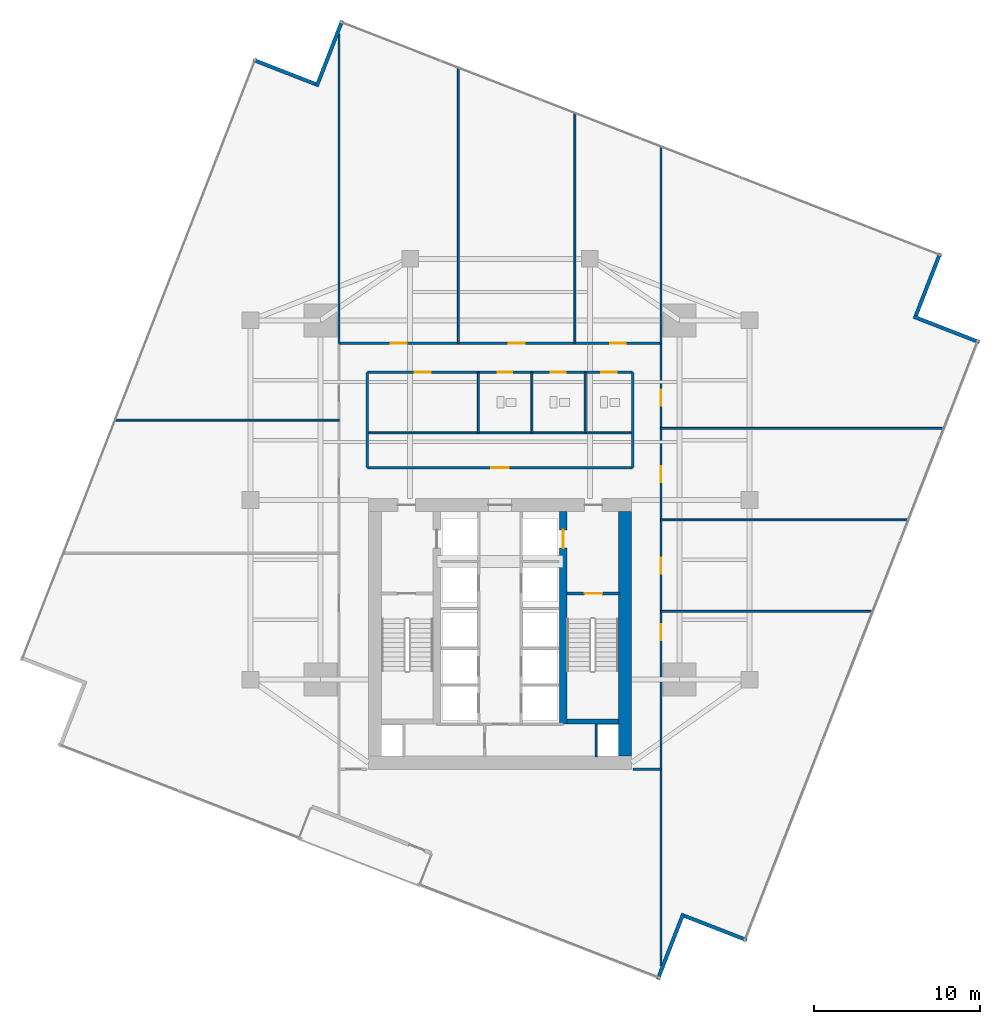
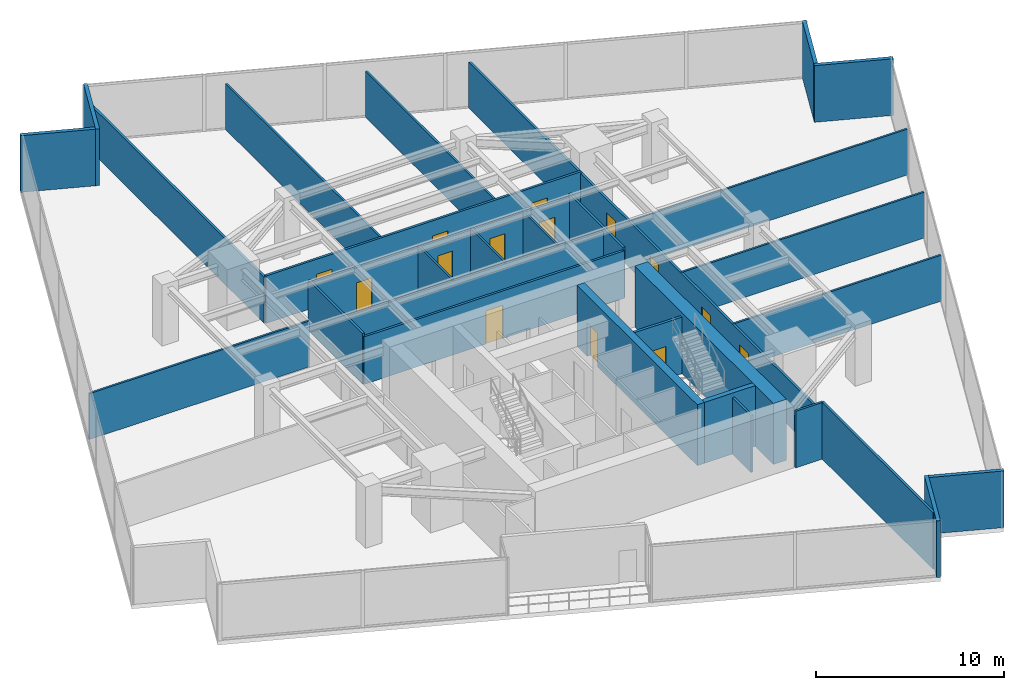
# One storey, part 23 of 26: 31 walls, 14 doors, 14 openings.
"""IFC4 building model written with IfcOpenShell, lengths in metres."""

from ifc_helpers import new_model, si_unit, direction, frame, frame_2d, origin, place, context, subcontext, project, spatial, rectangle, extrude, material, layer, layer_set, type_object, element, fill, save


model = new_model("IFC4")

# Units and contexts
model_context = context("Model", 3, precision=1e-05, world=origin(), true_north=direction((0.0, 1.0)))
body_context = subcontext(model_context, "Body", "Model", "MODEL_VIEW")
ifc_project = project(units=[si_unit("LENGTHUNIT", "METRE"), si_unit("AREAUNIT", "SQUARE_METRE"), si_unit("VOLUMEUNIT", "CUBIC_METRE"), si_unit("PLANEANGLEUNIT", "RADIAN"), si_unit("MASSUNIT", "GRAM", prefix="KILO")], contexts=[model_context])

# Site, building, storey
site_placement = place(None, origin())
site = spatial("IfcSite", under=ifc_project, at=site_placement, CompositionType="ELEMENT")
building_placement = place(site_placement, origin())
building = spatial("IfcBuilding", under=site, at=building_placement, Name="Krantzveldt Concourse Tower", CompositionType="ELEMENT")
storey_placement = place(building_placement, frame((0.0, 0.0, 133.5)))
storey = spatial("IfcBuildingStorey", under=building, at=storey_placement, Name="L32", CompositionType="ELEMENT", Elevation=133.5)

# Walls
ifc_material_1 = material(Name="Anodised aluminium 6063-T6", Category="aluminium")
ifc_layer_1 = layer(ifc_material_1, 0.219970703125, Name="Anodised aluminium 6063-T6", Category="aluminium")
ifc_layer_set_1 = layer_set([ifc_layer_1], Name="Anodised aluminium 6063-T6 (WL-EXT-NOTCH220)")
wall_type_1 = type_object("IfcWallType", Name="WL-EXT-NOTCH220", PredefinedType="ELEMENTEDWALL", material=ifc_layer_set_1)
wall_1_placement = place(storey_placement, frame((24.910400390625, 51.709716796875, 0.0), z_axis=(0.0, 0.0, 1.0), x_axis=(-0.932010363197, 0.362431625129, 0.0)))
element("IfcWall", 1, at=wall_1_placement, inside=storey, type_object=wall_type_1, Name="EW-L32-NCH00", PredefinedType="ELEMENTEDWALL", context=body_context, shape_type="SweptSolid", body=[
    extrude(rectangle(XDim=4.02490234375, YDim=0.219970703125, at=frame_2d((2.012451171875, 0.0))), origin(), (0.0, 0.0, 1.0), 3.669921875),
])
wall_2_placement = place(storey_placement, frame((45.48828125, -2.123779296875, 0.0), z_axis=(0.0, 0.0, 1.0), x_axis=(0.362429609335, 0.932011147078, 0.0)))
element("IfcWall", 2, at=wall_2_placement, inside=storey, type_object=wall_type_1, Name="EW-L32-NCH09", PredefinedType="ELEMENTEDWALL", context=body_context, shape_type="SweptSolid", body=[
    extrude(rectangle(XDim=4.2451171875, YDim=0.219970703125, at=frame_2d((2.12255859375, 0.0))), origin(), (0.0, 0.0, 1.0), 3.669921875),
])
wall_3_placement = place(storey_placement, frame((47.089599609375, 1.690185546875, 0.0), z_axis=(0.0, 0.0, 1.0), x_axis=(0.932010363197, -0.362431625129, 0.0)))
element("IfcWall", 3, at=wall_3_placement, inside=storey, type_object=wall_type_1, Name="EW-L32-NCH10", PredefinedType="ELEMENTEDWALL", context=body_context, shape_type="SweptSolid", body=[
    extrude(rectangle(XDim=4.02490234375, YDim=0.219970703125, at=frame_2d((2.012451171875, 0.0))), origin(), (0.0, 0.0, 1.0), 3.669921875),
])
wall_4_placement = place(storey_placement, frame((64.82373046875, 36.188232421875, 0.0), z_axis=(0.0, 0.0, 1.0), x_axis=(-0.932003592198, 0.362449036596, 0.0)))
element("IfcWall", 4, at=wall_4_placement, inside=storey, type_object=wall_type_1, Name="EW-L32-NCH12", PredefinedType="ELEMENTEDWALL", context=body_context, shape_type="SweptSolid", body=[
    extrude(rectangle(XDim=4.244873046875, YDim=0.219970703125, at=frame_2d((2.12255859375, 0.0))), origin(), (0.0, 0.0, 1.0), 3.669921875),
])
wall_5_placement = place(storey_placement, frame((61.009765625, 37.78955078125, 0.0), z_axis=(0.0, 0.0, 1.0), x_axis=(0.362431625129, 0.932010363197, 0.0)))
element("IfcWall", 5, at=wall_5_placement, inside=storey, type_object=wall_type_1, Name="EW-L32-NCH13", PredefinedType="ELEMENTEDWALL", context=body_context, shape_type="SweptSolid", body=[
    extrude(rectangle(XDim=4.02490234375, YDim=0.219970703125, at=frame_2d((2.012451171875, 0.0))), origin(), (0.0, 0.0, 1.0), 3.669921875),
])
wall_6_placement = place(storey_placement, frame((26.51171875, 55.523681640625, 0.0), z_axis=(0.0, 0.0, 1.0), x_axis=(-0.362449036596, -0.932003592198, 0.0)))
element("IfcWall", 6, at=wall_6_placement, inside=storey, type_object=wall_type_1, Name="EW-L32-NCH15", PredefinedType="ELEMENTEDWALL", context=body_context, shape_type="SweptSolid", body=[
    extrude(rectangle(XDim=4.244873046875, YDim=0.219970703125, at=frame_2d((2.12255859375, 0.0))), origin(), (0.0, 0.0, 1.0), 3.669921875),
])
ifc_material_2 = material(Name="Fire-rated gypsum plasterboard on steel stud", Category="steel")
ifc_layer_2 = layer(ifc_material_2, 0.1201171875, Name="Fire-rated gypsum plasterboard on steel stud", Category="steel")
ifc_layer_set_2 = layer_set([ifc_layer_2], Name="Fire-rated gypsum plasterboard on steel stud (WL-PART-120)")
wall_type_2 = type_object("IfcWallType", Name="WL-PART-120", PredefinedType="PARTITIONING", material=ifc_layer_set_2)
wall_7_placement = place(storey_placement, frame((28.02001953125, 30.739990234375, 0.0), z_axis=(0.0, 0.0, 1.0), x_axis=(1.0, 0.0, 0.0)))
element("IfcWall", 7, at=wall_7_placement, inside=storey, type_object=wall_type_2, Name="WP-L32-ISLM", PredefinedType="PARTITIONING", context=body_context, shape_type="SweptSolid", body=[
    extrude(rectangle(XDim=15.9599609375, YDim=0.1201171875, at=frame_2d((7.97998046875, 0.0))), origin(), (0.0, 0.0, 1.0), 3.080078125),
])
for number, where, z_axis, x_axis, name in (
    (8, (37.919921875, 30.739990234375, 0.0), (0.0, 0.0, 1.0), (0.0, 1.0, 0.0), "WP-L32-WCD1"),
    (9, (41.1201171875, 30.739990234375, 0.0), (0.0, 0.0, 1.0), (0.0, 1.0, 0.0), "WP-L32-WCD2"),
    (10, (34.699951171875, 30.739990234375, 0.0), (0.0, 0.0, 1.0), (0.0, 1.0, 0.0), "WP-L32-WCD3"),
):
    element("IfcWall", number, at=place(storey_placement, frame(where, z_axis=z_axis, x_axis=x_axis)), inside=storey, type_object=wall_type_2, Name=name, PredefinedType="PARTITIONING", context=body_context, shape_type="SweptSolid", body=[
        extrude(rectangle(XDim=3.639892578125, YDim=0.1201171875, at=frame_2d((1.81982421875, 0.0))), origin(), (0.0, 0.0, 1.0), 3.169921875),
    ])
wall_8_placement = place(storey_placement, frame((33.5, 36.1201171875, 0.0), z_axis=(0.0, 0.0, 1.0), x_axis=(0.0, 1.0, 0.0)))
element("IfcWall", 11, at=wall_8_placement, inside=storey, type_object=wall_type_2, Name="WP-L32-ND1", PredefinedType="PARTITIONING", context=body_context, shape_type="SweptSolid", body=[
    extrude(rectangle(XDim=16.5625, YDim=0.1201171875, at=frame_2d((8.28125, 0.0))), origin(), (0.0, 0.0, 1.0), 2.969970703125),
])
wall_9_placement = place(storey_placement, frame((40.5, 36.1201171875, 0.0), z_axis=(0.0, 0.0, 1.0), x_axis=(0.0, 1.0, 0.0)))
element("IfcWall", 12, at=wall_9_placement, inside=storey, type_object=wall_type_2, Name="WP-L32-ND2", PredefinedType="PARTITIONING", context=body_context, shape_type="SweptSolid", body=[
    extrude(rectangle(XDim=13.840576171875, YDim=0.1201171875, at=frame_2d((6.92041015625, 0.0))), origin(), (0.0, 0.0, 1.0), 2.969970703125),
])
wall_10_placement = place(storey_placement, frame((12.856201171875, 31.5, 0.0), z_axis=(0.0, 0.0, 1.0), x_axis=(1.0, 0.0, 0.0)))
element("IfcWall", 13, at=wall_10_placement, inside=storey, type_object=wall_type_2, Name="WP-L32-WD2", PredefinedType="PARTITIONING", context=body_context, shape_type="SweptSolid", body=[
    extrude(rectangle(XDim=13.4638671875, YDim=0.1201171875, at=frame_2d((6.73193359375, 0.0))), origin(), (0.0, 0.0, 1.0), 2.969970703125),
])
wall_11_placement = place(storey_placement, frame((45.679931640625, 20.0, 0.0), z_axis=(0.0, 0.0, 1.0), x_axis=(1.0, 0.0, 0.0)))
element("IfcWall", 14, at=wall_11_placement, inside=storey, type_object=wall_type_2, Name="WP-L32-ED1", PredefinedType="PARTITIONING", context=body_context, shape_type="SweptSolid", body=[
    extrude(rectangle(XDim=12.72509765625, YDim=0.1201171875, at=frame_2d((6.362548828125, 0.0))), origin(), (0.0, 0.0, 1.0), 2.969970703125),
])
wall_12_placement = place(storey_placement, frame((45.679931640625, 25.5, 0.0), z_axis=(0.0, 0.0, 1.0), x_axis=(1.0, 0.0, 0.0)))
element("IfcWall", 15, at=wall_12_placement, inside=storey, type_object=wall_type_2, Name="WP-L32-ED2", PredefinedType="PARTITIONING", context=body_context, shape_type="SweptSolid", body=[
    extrude(rectangle(XDim=14.864013671875, YDim=0.1201171875, at=frame_2d((7.43212890625, 0.0))), origin(), (0.0, 0.0, 1.0), 2.969970703125),
])
wall_13_placement = place(storey_placement, frame((45.679931640625, 31.0, 0.0), z_axis=(0.0, 0.0, 1.0), x_axis=(1.0, 0.0, 0.0)))
element("IfcWall", 16, at=wall_13_placement, inside=storey, type_object=wall_type_2, Name="WP-L32-ED3", PredefinedType="PARTITIONING", context=body_context, shape_type="SweptSolid", body=[
    extrude(rectangle(XDim=17.002685546875, YDim=0.1201171875, at=frame_2d((8.50146484375, 0.0))), origin(), (0.0, 0.0, 1.0), 2.969970703125),
])

# Wall, opening, door
ifc_layer_3 = layer(ifc_material_2, 0.139892578125, Name="Fire-rated gypsum plasterboard on steel stud", Category="steel")
ifc_layer_set_3 = layer_set([ifc_layer_3], Name="Fire-rated gypsum plasterboard on steel stud (WL-PART-140)")
wall_type_3 = type_object("IfcWallType", Name="WL-PART-140", PredefinedType="PARTITIONING", material=ifc_layer_set_3)
wall_14_placement = place(storey_placement, frame((28.02001953125, 28.639892578125, 0.0), z_axis=(0.0, 0.0, 1.0), x_axis=(1.0, 0.0, 0.0)))
wall_14 = element("IfcWall", 17, at=wall_14_placement, inside=storey, type_object=wall_type_3, Name="WP-L32-ISLS", PredefinedType="PARTITIONING", context=body_context, shape_type="SweptSolid", body=[
    extrude(rectangle(XDim=15.9599609375, YDim=0.139892578125, at=frame_2d((7.97998046875, 0.0))), origin(), (0.0, 0.0, 1.0), 3.080078125),
])
opening_1_placement = place(wall_14_placement, frame((7.455078125, 0.0, 0.0)))
opening_1 = element("IfcOpeningElement", 18, at=opening_1_placement, cuts=wall_14, Name="Opening D-IN105", PredefinedType="OPENING", context=body_context, shape_type="SweptSolid", body=[
    extrude(rectangle(XDim=1.050048828125, YDim=2.14990234375, at=frame_2d((0.52490234375, 1.074951171875))), frame((0.0, 0.080078125, 0.0), z_axis=(0.0, -1.0, 0.0), x_axis=(1.0, 0.0, 0.0)), (0.0, 0.0, 1.0), 0.159912109375),
])
ifc_material_3 = material(Name="Hardwood timber", Category="wood")
door_type_1 = type_object("IfcDoorType", Name="DR-INT-1050", OperationType="SINGLE_SWING_LEFT", PredefinedType="DOOR", material=ifc_material_3)
door_1_placement = place(opening_1_placement, origin())
door_1 = element("IfcDoor", 19, at=door_1_placement, inside=storey, type_object=door_type_1, Name="DR-L32-MIDB", OperationType="SINGLE_SWING_LEFT", OverallHeight=2.14990234375, OverallWidth=1.050048828125, PredefinedType="DOOR", context=body_context, shape_type="SweptSolid", body=[
    extrude(rectangle(XDim=1.050048828125, YDim=2.14990234375, at=frame_2d((0.52490234375, 1.074951171875))), frame((0.0, 0.02490234375, 0.0), z_axis=(0.0, -1.0, 0.0), x_axis=(1.0, 0.0, 0.0)), (0.0, 0.0, 1.0), 0.050048828125),
])
fill(opening_1, door_1)

# Wall, openings, doors
wall_15_placement = place(storey_placement, frame((28.02001953125, 34.3798828125, 0.0), z_axis=(0.0, 0.0, 1.0), x_axis=(1.0, 0.0, 0.0)))
wall_15 = element("IfcWall", 20, at=wall_15_placement, inside=storey, type_object=wall_type_3, Name="WP-L32-ISLN", PredefinedType="PARTITIONING", context=body_context, shape_type="SweptSolid", body=[
    extrude(rectangle(XDim=15.9599609375, YDim=0.139892578125, at=frame_2d((7.97998046875, 0.0))), origin(), (0.0, 0.0, 1.0), 3.080078125),
])
opening_2_placement = place(wall_15_placement, frame((7.830078125, 0.0, 0.0)))
opening_2 = element("IfcOpeningElement", 21, at=opening_2_placement, cuts=wall_15, Name="Opening D-IN090", PredefinedType="OPENING", context=body_context, shape_type="SweptSolid", body=[
    extrude(rectangle(XDim=0.89990234375, YDim=2.10009765625, at=frame_2d((0.449951171875, 1.050048828125))), frame((0.0, 0.080078125, 0.0), z_axis=(0.0, -1.0, 0.0), x_axis=(1.0, 0.0, 0.0)), (0.0, 0.0, 1.0), 0.159912109375),
])
opening_3_placement = place(wall_15_placement, frame((11.030029296875, 0.0, 0.0)))
opening_3 = element("IfcOpeningElement", 22, at=opening_3_placement, cuts=wall_15, Name="Opening D-IN090", PredefinedType="OPENING", context=body_context, shape_type="SweptSolid", body=[
    extrude(rectangle(XDim=0.89990234375, YDim=2.10009765625, at=frame_2d((0.449951171875, 1.050048828125))), frame((0.0, 0.080078125, 0.0), z_axis=(0.0, -1.0, 0.0), x_axis=(1.0, 0.0, 0.0)), (0.0, 0.0, 1.0), 0.159912109375),
])
opening_4_placement = place(wall_15_placement, frame((14.054931640625, 0.0, 0.0)))
opening_4 = element("IfcOpeningElement", 23, at=opening_4_placement, cuts=wall_15, Name="Opening D-IN095", PredefinedType="OPENING", context=body_context, shape_type="SweptSolid", body=[
    extrude(rectangle(XDim=0.949951171875, YDim=2.10009765625, at=frame_2d((0.47509765625, 1.050048828125))), frame((0.0, 0.080078125, 0.0), z_axis=(0.0, -1.0, 0.0), x_axis=(1.0, 0.0, 0.0)), (0.0, 0.0, 1.0), 0.159912109375),
])
opening_5_placement = place(wall_15_placement, frame((2.85498046875, 0.0, 0.0)))
opening_5 = element("IfcOpeningElement", 24, at=opening_5_placement, cuts=wall_15, Name="Opening D-IN095", PredefinedType="OPENING", context=body_context, shape_type="SweptSolid", body=[
    extrude(rectangle(XDim=0.949951171875, YDim=2.10009765625, at=frame_2d((0.47509765625, 1.050048828125))), frame((0.0, 0.080078125, 0.0), z_axis=(0.0, -1.0, 0.0), x_axis=(1.0, 0.0, 0.0)), (0.0, 0.0, 1.0), 0.159912109375),
])
door_type_2 = type_object("IfcDoorType", Name="DR-INT-900", OperationType="SINGLE_SWING_LEFT", PredefinedType="DOOR", material=ifc_material_3)
door_2_placement = place(opening_2_placement, origin())
door_2 = element("IfcDoor", 25, at=door_2_placement, inside=storey, type_object=door_type_2, Name="DR-L32-WCM", OperationType="SINGLE_SWING_LEFT", OverallHeight=2.10009765625, OverallWidth=0.89990234375, PredefinedType="DOOR", context=body_context, shape_type="SweptSolid", body=[
    extrude(rectangle(XDim=0.89990234375, YDim=2.10009765625, at=frame_2d((0.449951171875, 1.050048828125))), frame((0.0, 0.02490234375, 0.0), z_axis=(0.0, -1.0, 0.0), x_axis=(1.0, 0.0, 0.0)), (0.0, 0.0, 1.0), 0.050048828125),
])
fill(opening_2, door_2)
door_3_placement = place(opening_3_placement, origin())
door_3 = element("IfcDoor", 26, at=door_3_placement, inside=storey, type_object=door_type_2, Name="DR-L32-WCF", OperationType="SINGLE_SWING_RIGHT", OverallHeight=2.10009765625, OverallWidth=0.89990234375, PredefinedType="DOOR", context=body_context, shape_type="SweptSolid", body=[
    extrude(rectangle(XDim=0.89990234375, YDim=2.10009765625, at=frame_2d((0.449951171875, 1.050048828125))), frame((0.0, 0.02490234375, 0.0), z_axis=(0.0, -1.0, 0.0), x_axis=(1.0, 0.0, 0.0)), (0.0, 0.0, 1.0), 0.050048828125),
])
fill(opening_3, door_3)
door_type_3 = type_object("IfcDoorType", Name="DR-INT-950", OperationType="SINGLE_SWING_LEFT", PredefinedType="DOOR", material=ifc_material_3)
door_4_placement = place(opening_4_placement, origin())
door_4 = element("IfcDoor", 27, at=door_4_placement, inside=storey, type_object=door_type_3, Name="DR-L32-WCA", OperationType="SINGLE_SWING_LEFT", OverallHeight=2.10009765625, OverallWidth=0.949951171875, PredefinedType="DOOR", context=body_context, shape_type="SweptSolid", body=[
    extrude(rectangle(XDim=0.949951171875, YDim=2.10009765625, at=frame_2d((0.47509765625, 1.050048828125))), frame((0.0, 0.02490234375, 0.0), z_axis=(0.0, -1.0, 0.0), x_axis=(1.0, 0.0, 0.0)), (0.0, 0.0, 1.0), 0.050048828125),
])
fill(opening_4, door_4)
door_5_placement = place(opening_5_placement, origin())
door_5 = element("IfcDoor", 28, at=door_5_placement, inside=storey, type_object=door_type_3, Name="DR-L32-PNT", OperationType="SINGLE_SWING_RIGHT", OverallHeight=2.10009765625, OverallWidth=0.949951171875, PredefinedType="DOOR", context=body_context, shape_type="SweptSolid", body=[
    extrude(rectangle(XDim=0.949951171875, YDim=2.10009765625, at=frame_2d((0.47509765625, 1.050048828125))), frame((0.0, 0.02490234375, 0.0), z_axis=(0.0, -1.0, 0.0), x_axis=(1.0, 0.0, 0.0)), (0.0, 0.0, 1.0), 0.050048828125),
])
fill(opening_5, door_5)

# Walls
for number, where, z_axis, x_axis, name in (
    (29, (28.02001953125, 28.639892578125, 0.0), (0.0, 0.0, 1.0), (0.0, 1.0, 0.0), "WP-L32-ISLW"),
    (30, (43.97998046875, 28.639892578125, 0.0), (0.0, 0.0, 1.0), (0.0, 1.0, 0.0), "WP-L32-ISLE"),
):
    element("IfcWall", number, at=place(storey_placement, frame(where, z_axis=z_axis, x_axis=x_axis)), inside=storey, type_object=wall_type_3, Name=name, PredefinedType="PARTITIONING", context=body_context, shape_type="SweptSolid", body=[
        extrude(rectangle(XDim=5.739990234375, YDim=0.139892578125, at=frame_2d((2.8701171875, 0.0))), origin(), (0.0, 0.0, 1.0), 3.27001953125),
    ])

# Wall, openings, doors
wall_16_placement = place(storey_placement, frame((26.320068359375, 36.1201171875, 0.0), z_axis=(0.0, 0.0, 1.0), x_axis=(1.0, 0.0, 0.0)))
wall_16 = element("IfcWall", 31, at=wall_16_placement, inside=storey, type_object=wall_type_3, Name="WP-L32-CTOP", PredefinedType="PARTITIONING", context=body_context, shape_type="SweptSolid", body=[
    extrude(rectangle(XDim=19.35986328125, YDim=0.139892578125, at=frame_2d((9.679931640625, 0.0))), origin(), (0.0, 0.0, 1.0), 3.080078125),
])
opening_6_placement = place(wall_16_placement, frame((3.114990234375, 0.0, 0.0)))
opening_6 = element("IfcOpeningElement", 32, at=opening_6_placement, cuts=wall_16, Name="Opening D-IN095", PredefinedType="OPENING", context=body_context, shape_type="SweptSolid", body=[
    extrude(rectangle(XDim=0.949951171875, YDim=2.10009765625, at=frame_2d((0.47509765625, 1.050048828125))), frame((0.0, 0.080078125, 0.0), z_axis=(0.0, -1.0, 0.0), x_axis=(1.0, 0.0, 0.0)), (0.0, 0.0, 1.0), 0.159912109375),
])
opening_7_placement = place(wall_16_placement, frame((10.205078125, 0.0, 0.0)))
opening_7 = element("IfcOpeningElement", 33, at=opening_7_placement, cuts=wall_16, Name="Opening D-IN095", PredefinedType="OPENING", context=body_context, shape_type="SweptSolid", body=[
    extrude(rectangle(XDim=0.949951171875, YDim=2.10009765625, at=frame_2d((0.47509765625, 1.050048828125))), frame((0.0, 0.080078125, 0.0), z_axis=(0.0, -1.0, 0.0), x_axis=(1.0, 0.0, 0.0)), (0.0, 0.0, 1.0), 0.159912109375),
])
opening_8_placement = place(wall_16_placement, frame((16.294921875, 0.0, 0.0)))
opening_8 = element("IfcOpeningElement", 34, at=opening_8_placement, cuts=wall_16, Name="Opening D-IN095", PredefinedType="OPENING", context=body_context, shape_type="SweptSolid", body=[
    extrude(rectangle(XDim=0.949951171875, YDim=2.10009765625, at=frame_2d((0.47509765625, 1.050048828125))), frame((0.0, 0.080078125, 0.0), z_axis=(0.0, -1.0, 0.0), x_axis=(1.0, 0.0, 0.0)), (0.0, 0.0, 1.0), 0.159912109375),
])
door_6_placement = place(opening_6_placement, origin())
door_6 = element("IfcDoor", 35, at=door_6_placement, inside=storey, type_object=door_type_3, Name="DR-L32-NR1", OperationType="SINGLE_SWING_LEFT", OverallHeight=2.10009765625, OverallWidth=0.949951171875, PredefinedType="DOOR", context=body_context, shape_type="SweptSolid", body=[
    extrude(rectangle(XDim=0.949951171875, YDim=2.10009765625, at=frame_2d((0.47509765625, 1.050048828125))), frame((0.0, 0.02490234375, 0.0), z_axis=(0.0, -1.0, 0.0), x_axis=(1.0, 0.0, 0.0)), (0.0, 0.0, 1.0), 0.050048828125),
])
fill(opening_6, door_6)
door_7_placement = place(opening_7_placement, origin())
door_7 = element("IfcDoor", 36, at=door_7_placement, inside=storey, type_object=door_type_3, Name="DR-L32-NR2", OperationType="SINGLE_SWING_LEFT", OverallHeight=2.10009765625, OverallWidth=0.949951171875, PredefinedType="DOOR", context=body_context, shape_type="SweptSolid", body=[
    extrude(rectangle(XDim=0.949951171875, YDim=2.10009765625, at=frame_2d((0.47509765625, 1.050048828125))), frame((0.0, 0.02490234375, 0.0), z_axis=(0.0, -1.0, 0.0), x_axis=(1.0, 0.0, 0.0)), (0.0, 0.0, 1.0), 0.050048828125),
])
fill(opening_7, door_7)
door_8_placement = place(opening_8_placement, origin())
door_8 = element("IfcDoor", 37, at=door_8_placement, inside=storey, type_object=door_type_3, Name="DR-L32-NR3", OperationType="SINGLE_SWING_LEFT", OverallHeight=2.10009765625, OverallWidth=0.949951171875, PredefinedType="DOOR", context=body_context, shape_type="SweptSolid", body=[
    extrude(rectangle(XDim=0.949951171875, YDim=2.10009765625, at=frame_2d((0.47509765625, 1.050048828125))), frame((0.0, 0.02490234375, 0.0), z_axis=(0.0, -1.0, 0.0), x_axis=(1.0, 0.0, 0.0)), (0.0, 0.0, 1.0), 0.050048828125),
])
fill(opening_8, door_8)

wall_17_placement = place(storey_placement, frame((45.679931640625, 10.5, 0.0), z_axis=(0.0, 0.0, 1.0), x_axis=(0.0, 1.0, 0.0)))
wall_17 = element("IfcWall", 38, at=wall_17_placement, inside=storey, type_object=wall_type_3, Name="WP-L32-CEAST", PredefinedType="PARTITIONING", context=body_context, shape_type="SweptSolid", body=[
    extrude(rectangle(XDim=25.6201171875, YDim=0.139892578125, at=frame_2d((12.81005859375, 0.0))), origin(), (0.0, 0.0, 1.0), 2.969970703125),
])
opening_9_placement = place(wall_17_placement, frame((7.77490234375, 0.0, 0.0)))
opening_9 = element("IfcOpeningElement", 39, at=opening_9_placement, cuts=wall_17, Name="Opening D-IN095", PredefinedType="OPENING", context=body_context, shape_type="SweptSolid", body=[
    extrude(rectangle(XDim=0.949951171875, YDim=2.10009765625, at=frame_2d((0.47509765625, 1.050048828125))), frame((0.0, 0.080078125, 0.0), z_axis=(0.0, -1.0, 0.0), x_axis=(1.0, 0.0, 0.0)), (0.0, 0.0, 1.0), 0.159912109375),
])
opening_10_placement = place(wall_17_placement, frame((11.77490234375, 0.0, 0.0)))
opening_10 = element("IfcOpeningElement", 40, at=opening_10_placement, cuts=wall_17, Name="Opening D-IN095", PredefinedType="OPENING", context=body_context, shape_type="SweptSolid", body=[
    extrude(rectangle(XDim=0.949951171875, YDim=2.10009765625, at=frame_2d((0.47509765625, 1.050048828125))), frame((0.0, 0.080078125, 0.0), z_axis=(0.0, -1.0, 0.0), x_axis=(1.0, 0.0, 0.0)), (0.0, 0.0, 1.0), 0.159912109375),
])
opening_11_placement = place(wall_17_placement, frame((17.27490234375, 0.0, 0.0)))
opening_11 = element("IfcOpeningElement", 41, at=opening_11_placement, cuts=wall_17, Name="Opening D-IN095", PredefinedType="OPENING", context=body_context, shape_type="SweptSolid", body=[
    extrude(rectangle(XDim=0.949951171875, YDim=2.10009765625, at=frame_2d((0.47509765625, 1.050048828125))), frame((0.0, 0.080078125, 0.0), z_axis=(0.0, -1.0, 0.0), x_axis=(1.0, 0.0, 0.0)), (0.0, 0.0, 1.0), 0.159912109375),
])
opening_12_placement = place(wall_17_placement, frame((21.875, 0.0, 0.0)))
opening_12 = element("IfcOpeningElement", 42, at=opening_12_placement, cuts=wall_17, Name="Opening D-IN095", PredefinedType="OPENING", context=body_context, shape_type="SweptSolid", body=[
    extrude(rectangle(XDim=0.949951171875, YDim=2.10009765625, at=frame_2d((0.47509765625, 1.050048828125))), frame((0.0, 0.080078125, 0.0), z_axis=(0.0, -1.0, 0.0), x_axis=(1.0, 0.0, 0.0)), (0.0, 0.0, 1.0), 0.159912109375),
])
door_9_placement = place(opening_9_placement, origin())
door_9 = element("IfcDoor", 43, at=door_9_placement, inside=storey, type_object=door_type_3, Name="DR-L32-ER1", OperationType="SINGLE_SWING_LEFT", OverallHeight=2.10009765625, OverallWidth=0.949951171875, PredefinedType="DOOR", context=body_context, shape_type="SweptSolid", body=[
    extrude(rectangle(XDim=0.949951171875, YDim=2.10009765625, at=frame_2d((0.47509765625, 1.050048828125))), frame((0.0, 0.02490234375, 0.0), z_axis=(0.0, -1.0, 0.0), x_axis=(1.0, 0.0, 0.0)), (0.0, 0.0, 1.0), 0.050048828125),
])
fill(opening_9, door_9)
door_10_placement = place(opening_10_placement, origin())
door_10 = element("IfcDoor", 44, at=door_10_placement, inside=storey, type_object=door_type_3, Name="DR-L32-ER2", OperationType="SINGLE_SWING_LEFT", OverallHeight=2.10009765625, OverallWidth=0.949951171875, PredefinedType="DOOR", context=body_context, shape_type="SweptSolid", body=[
    extrude(rectangle(XDim=0.949951171875, YDim=2.10009765625, at=frame_2d((0.47509765625, 1.050048828125))), frame((0.0, 0.02490234375, 0.0), z_axis=(0.0, -1.0, 0.0), x_axis=(1.0, 0.0, 0.0)), (0.0, 0.0, 1.0), 0.050048828125),
])
fill(opening_10, door_10)
door_11_placement = place(opening_11_placement, origin())
door_11 = element("IfcDoor", 45, at=door_11_placement, inside=storey, type_object=door_type_3, Name="DR-L32-ER3", OperationType="SINGLE_SWING_LEFT", OverallHeight=2.10009765625, OverallWidth=0.949951171875, PredefinedType="DOOR", context=body_context, shape_type="SweptSolid", body=[
    extrude(rectangle(XDim=0.949951171875, YDim=2.10009765625, at=frame_2d((0.47509765625, 1.050048828125))), frame((0.0, 0.02490234375, 0.0), z_axis=(0.0, -1.0, 0.0), x_axis=(1.0, 0.0, 0.0)), (0.0, 0.0, 1.0), 0.050048828125),
])
fill(opening_11, door_11)
door_12_placement = place(opening_12_placement, origin())
door_12 = element("IfcDoor", 46, at=door_12_placement, inside=storey, type_object=door_type_3, Name="DR-L32-ER4", OperationType="SINGLE_SWING_LEFT", OverallHeight=2.10009765625, OverallWidth=0.949951171875, PredefinedType="DOOR", context=body_context, shape_type="SweptSolid", body=[
    extrude(rectangle(XDim=0.949951171875, YDim=2.10009765625, at=frame_2d((0.47509765625, 1.050048828125))), frame((0.0, 0.02490234375, 0.0), z_axis=(0.0, -1.0, 0.0), x_axis=(1.0, 0.0, 0.0)), (0.0, 0.0, 1.0), 0.050048828125),
])
fill(opening_12, door_12)

# Walls
wall_18_placement = place(storey_placement, frame((44.0, 10.5, 0.0), z_axis=(0.0, 0.0, 1.0), x_axis=(1.0, 0.0, 0.0)))
element("IfcWall", 47, at=wall_18_placement, inside=storey, type_object=wall_type_3, Name="WP-L32-CEBOT", PredefinedType="PARTITIONING", context=body_context, shape_type="SweptSolid", body=[
    extrude(rectangle(XDim=1.679931640625, YDim=0.139892578125, at=frame_2d((0.83984375, 0.0))), origin(), (0.0, 0.0, 1.0), 3.669921875),
])
wall_19_placement = place(storey_placement, frame((26.320068359375, 36.1201171875, 0.0), z_axis=(0.0, 0.0, 1.0), x_axis=(0.0, 1.0, 0.0)))
element("IfcWall", 48, at=wall_19_placement, inside=storey, type_object=wall_type_3, Name="WP-L32-NWL", PredefinedType="PARTITIONING", context=body_context, shape_type="SweptSolid", body=[
    extrude(rectangle(XDim=18.593505859375, YDim=0.139892578125, at=frame_2d((9.296875, 0.0))), origin(), (0.0, 0.0, 1.0), 2.969970703125),
])
wall_20_placement = place(storey_placement, frame((45.679931640625, 36.1201171875, 0.0), z_axis=(0.0, 0.0, 1.0), x_axis=(0.0, 1.0, 0.0)))
element("IfcWall", 49, at=wall_20_placement, inside=storey, type_object=wall_type_3, Name="WP-L32-NER", PredefinedType="PARTITIONING", context=body_context, shape_type="SweptSolid", body=[
    extrude(rectangle(XDim=11.826171875, YDim=0.139892578125, at=frame_2d((5.9130859375, 0.0))), origin(), (0.0, 0.0, 1.0), 2.969970703125),
])
wall_21_placement = place(storey_placement, frame((45.679931640625, -1.3134765625, 0.0), z_axis=(0.0, 0.0, 1.0), x_axis=(0.0, 1.0, 0.0)))
element("IfcWall", 50, at=wall_21_placement, inside=storey, type_object=wall_type_3, Name="WP-L32-SER", PredefinedType="PARTITIONING", context=body_context, shape_type="SweptSolid", body=[
    extrude(rectangle(XDim=11.8134765625, YDim=0.139892578125, at=frame_2d((5.90673828125, 0.0))), origin(), (0.0, 0.0, 1.0), 3.669921875),
])
ifc_layer_4 = layer(ifc_material_2, 0.139892578125, Name="Fire-rated gypsum plasterboard on steel stud", Category="steel")
ifc_layer_set_4 = layer_set([ifc_layer_4], Name="Fire-rated gypsum plasterboard on steel stud (WL-PART-FR140)")
wall_type_4 = type_object("IfcWallType", Name="WL-PART-FR140", PredefinedType="PARTITIONING", material=ifc_layer_set_4)
wall_22_placement = place(storey_placement, frame((41.780029296875, 11.25, 0.0), z_axis=(0.0, 0.0, 1.0), x_axis=(0.0, 1.0, 0.0)))
element("IfcWall", 51, at=wall_22_placement, inside=storey, type_object=wall_type_4, Name="WP-L32-RSE", PredefinedType="PARTITIONING", context=body_context, shape_type="SweptSolid", body=[
    extrude(rectangle(XDim=1.969970703125, YDim=0.1201171875, at=frame_2d((0.98486328125, 0.0))), origin(), (0.0, 0.0, 1.0), 3.669921875),
])

# Wall, opening, door
ifc_layer_5 = layer(ifc_material_2, 0.159912109375, Name="Fire-rated gypsum plasterboard on steel stud", Category="steel")
ifc_layer_set_5 = layer_set([ifc_layer_5], Name="Fire-rated gypsum plasterboard on steel stud (WL-PART-FR160)")
wall_type_5 = type_object("IfcWallType", Name="WL-PART-FR160", PredefinedType="PARTITIONING", material=ifc_layer_set_5)
wall_23_placement = place(storey_placement, frame((40.0400390625, 21.080078125, 0.0), z_axis=(0.0, 0.0, 1.0), x_axis=(1.0, 0.0, 0.0)))
wall_23 = element("IfcWall", 52, at=wall_23_placement, inside=storey, type_object=wall_type_5, Name="WP-L32-ST2", PredefinedType="PARTITIONING", context=body_context, shape_type="SweptSolid", body=[
    extrude(rectangle(XDim=3.159912109375, YDim=0.159912109375, at=frame_2d((1.580078125, 0.0))), origin(), (0.0, 0.0, 1.0), 3.669921875),
])
opening_13_placement = place(wall_23_placement, frame((1.054931640625, 0.0, 0.0)))
opening_13 = element("IfcOpeningElement", 53, at=opening_13_placement, cuts=wall_23, Name="Opening D-FD105", PredefinedType="OPENING", context=body_context, shape_type="SweptSolid", body=[
    extrude(rectangle(XDim=1.050048828125, YDim=2.10009765625, at=frame_2d((0.52490234375, 1.050048828125))), frame((0.0, 0.08984375, 0.0), z_axis=(0.0, -1.0, 0.0), x_axis=(1.0, 0.0, 0.0)), (0.0, 0.0, 1.0), 0.179931640625),
])
ifc_material_4 = material(Name="Galvanised steel", Category="steel")
door_type_4 = type_object("IfcDoorType", Name="DR-FD120-1050", OperationType="SINGLE_SWING_LEFT", PredefinedType="DOOR", material=ifc_material_4)
door_13_placement = place(opening_13_placement, origin())
door_13 = element("IfcDoor", 54, at=door_13_placement, inside=storey, type_object=door_type_4, Name="DR-L32-ST2", OperationType="SINGLE_SWING_LEFT", OverallHeight=2.10009765625, OverallWidth=1.050048828125, PredefinedType="DOOR", context=body_context, shape_type="SweptSolid", body=[
    extrude(rectangle(XDim=1.050048828125, YDim=2.10009765625, at=frame_2d((0.52490234375, 1.050048828125))), frame((0.0, 0.02490234375, 0.0), z_axis=(0.0, -1.0, 0.0), x_axis=(1.0, 0.0, 0.0)), (0.0, 0.0, 1.0), 0.050048828125),
])
fill(opening_13, door_13)

# Wall
ifc_material_5 = material(Name="Concrete C50/60", Category="concrete")
ifc_layer_6 = layer(ifc_material_5, 0.300048828125, Name="Concrete C50/60", Category="concrete")
ifc_layer_set_6 = layer_set([ifc_layer_6], Name="Concrete C50/60 (WL-SHEAR-300)")
wall_type_6 = type_object("IfcWallType", Name="WL-SHEAR-300", PredefinedType="SHEAR", material=ifc_layer_set_6)
wall_24_placement = place(storey_placement, frame((40.02001953125, 13.3701171875, 0.0), z_axis=(0.0, 0.0, 1.0), x_axis=(1.0, 0.0, 0.0)))
element("IfcWall", 55, at=wall_24_placement, inside=storey, type_object=wall_type_6, Name="CW-L32-ST2S", PredefinedType="SHEAR", context=body_context, shape_type="SweptSolid", body=[
    extrude(rectangle(XDim=3.10009765625, YDim=0.300048828125, at=frame_2d((1.550048828125, 0.0))), origin(), (0.0, 0.0, 1.0), 3.949951171875),
])

# Wall, opening, door
ifc_layer_7 = layer(ifc_material_5, 0.449951171875, Name="Concrete C50/60", Category="concrete")
ifc_layer_set_7 = layer_set([ifc_layer_7], Name="Concrete C50/60 (WL-SHEAR-450)")
wall_type_7 = type_object("IfcWallType", Name="WL-SHEAR-450", PredefinedType="SHEAR", material=ifc_layer_set_7)
wall_25_placement = place(storey_placement, frame((39.794921875, 13.219970703125, 0.0), z_axis=(0.0, 0.0, 1.0), x_axis=(0.0, 1.0, 0.0)))
wall_25 = element("IfcWall", 56, at=wall_25_placement, inside=storey, type_object=wall_type_7, Name="CW-L32-IE", PredefinedType="SHEAR", context=body_context, shape_type="SweptSolid", body=[
    extrude(rectangle(XDim=12.780029296875, YDim=0.449951171875, at=frame_2d((6.39013671875, 0.0))), origin(), (0.0, 0.0, 1.0), 3.949951171875),
])
opening_14_placement = place(wall_25_placement, frame((10.580078125, 0.0, 0.0)))
opening_14 = element("IfcOpeningElement", 57, at=opening_14_placement, cuts=wall_25, Name="Opening LD", PredefinedType="OPENING", context=body_context, shape_type="SweptSolid", body=[
    extrude(rectangle(XDim=1.10009765625, YDim=2.14990234375, at=frame_2d((0.550048828125, 1.074951171875))), frame((0.0, 0.23486328125, 0.0), z_axis=(0.0, -1.0, 0.0), x_axis=(1.0, 0.0, 0.0)), (0.0, 0.0, 1.0), 0.469970703125),
])
ifc_material_6 = material(Name="Stainless steel 316L", Category="steel")
door_type_5 = type_object("IfcDoorType", Name="DR-SLIDE-LD1100", OperationType="DOUBLE_DOOR_SLIDING", PredefinedType="DOOR", material=ifc_material_6)
door_14_placement = place(opening_14_placement, origin())
door_14 = element("IfcDoor", 58, at=door_14_placement, inside=storey, type_object=door_type_5, Name="LD-L32-FL2", OperationType="DOUBLE_DOOR_SLIDING", OverallHeight=2.14990234375, OverallWidth=1.10009765625, PredefinedType="DOOR", context=body_context, shape_type="SweptSolid", body=[
    extrude(rectangle(XDim=1.10009765625, YDim=2.14990234375, at=frame_2d((0.550048828125, 1.074951171875))), frame((0.0, 0.02490234375, 0.0), z_axis=(0.0, -1.0, 0.0), x_axis=(1.0, 0.0, 0.0)), (0.0, 0.0, 1.0), 0.050048828125),
])
fill(opening_14, door_14)

# Wall
ifc_material_7 = material(Name="Concrete C60/75", Category="concrete")
ifc_layer_8 = layer(ifc_material_7, 0.800048828125, Name="Concrete C60/75", Category="concrete")
ifc_layer_set_8 = layer_set([ifc_layer_8], Name="Concrete C60/75 (WL-SHEAR-800)")
wall_type_8 = type_object("IfcWallType", Name="WL-SHEAR-800", PredefinedType="SHEAR", material=ifc_layer_set_8)
wall_26_placement = place(storey_placement, frame((43.52001953125, 11.300048828125, 0.0), z_axis=(0.0, 0.0, 1.0), x_axis=(0.0, 1.0, 0.0)))
element("IfcWall", 59, at=wall_26_placement, inside=storey, type_object=wall_type_8, Name="CW-L32-E", PredefinedType="SHEAR", context=body_context, shape_type="SweptSolid", body=[
    extrude(rectangle(XDim=14.699951171875, YDim=0.800048828125, at=frame_2d((7.35009765625, 0.0))), origin(), (0.0, 0.0, 1.0), 3.949951171875),
])

save(model, "model.ifc")
